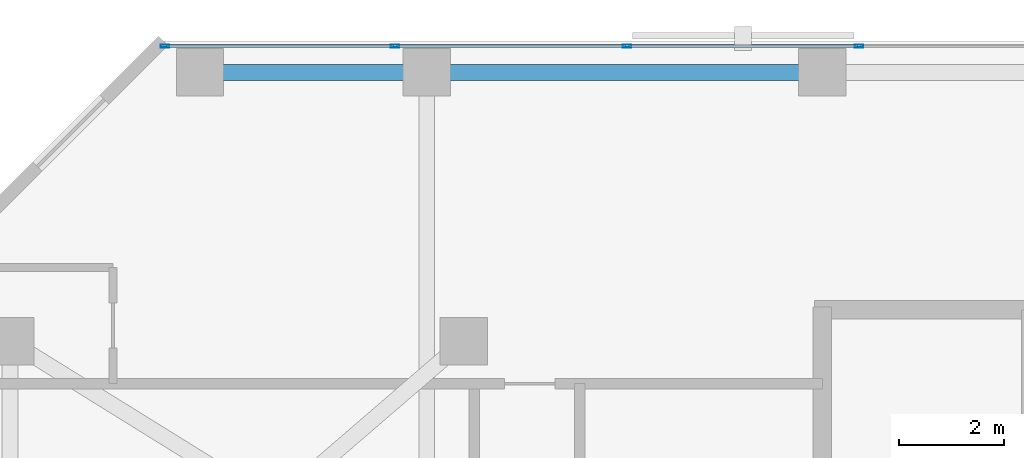
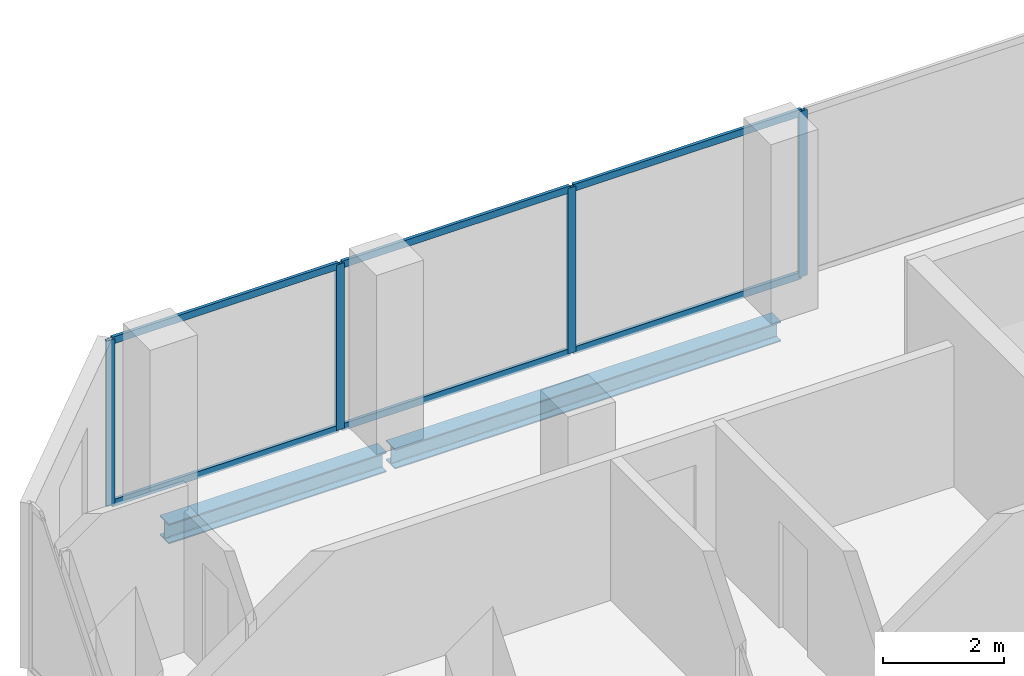
# One storey, part 19 of 34: 10 members, 2 beams, 1 element without a shape of its own.
"""IFC4 building model written with IfcOpenShell, lengths in metres."""

from ifc_helpers import new_model, si_unit, direction, frame, origin, origin_2d, place, context, subcontext, project, spatial, hollow_rectangle, i_section, extrude, material, layer, layer_set, material_profile, profile_set, type_object, element, aggregate, save


model = new_model("IFC4")

# Units and contexts
model_context = context("Model", 3, precision=1e-05, world=origin(), true_north=direction((0.0, 1.0)))
body_context = subcontext(model_context, "Body", "Model", "MODEL_VIEW")
ifc_project = project(units=[si_unit("LENGTHUNIT", "METRE"), si_unit("AREAUNIT", "SQUARE_METRE"), si_unit("VOLUMEUNIT", "CUBIC_METRE"), si_unit("PLANEANGLEUNIT", "RADIAN"), si_unit("MASSUNIT", "GRAM", prefix="KILO")], contexts=[model_context])

# Site, building, storey
site_placement = place(None, origin())
site = spatial("IfcSite", under=ifc_project, at=site_placement, CompositionType="ELEMENT")
building_placement = place(site_placement, origin())
building = spatial("IfcBuilding", under=site, at=building_placement, Name="Catumbela Crestline Tower", CompositionType="ELEMENT")
storey_placement = place(building_placement, frame((0.0, 0.0, 97.2)))
storey = spatial("IfcBuildingStorey", under=building, at=storey_placement, Name="L24", CompositionType="ELEMENT", Elevation=97.2)

# Curtain wall, members
ifc_material_1 = material(Name="Aluminium alloy AW-6060-T66", Category="aluminium")
ifc_layer = layer(ifc_material_1, 0.18, Name="Aluminium alloy AW-6060-T66")
ifc_layer_set = layer_set([ifc_layer], Name="Aluminium alloy AW-6060-T66")
curtain_wall_type = type_object("IfcCurtainWallType", Name="CWU-Z2", PredefinedType="USERDEFINED", material=ifc_layer_set)
curtain_wall_placement = place(storey_placement, origin())
curtain_wall = element("IfcCurtainWall", 1, at=curtain_wall_placement, inside=storey, type_object=curtain_wall_type, Name="L24 Unitised Curtain Wall CW-L24-E7S1", ObjectType="UNITISED", PredefinedType="USERDEFINED")
ifc_material_profile_1 = material_profile(ifc_material_1, hollow_rectangle(XDim=0.06, YDim=0.16, WallThickness=0.004, at=origin_2d()), Name="ALU 160x60x4")
ifc_profile_set_1 = profile_set([ifc_material_profile_1], Name="Aluminium alloy AW-6060-T66")
member_type_1 = type_object("IfcMemberType", Name="MUL-160X60", PredefinedType="MULLION", material=ifc_profile_set_1)
member_1_placement = place(storey_placement, frame((16.7, 47.9, 0.0), z_axis=(0.0, 0.0, 1.0), x_axis=(0.0, -1.0, 0.0)))
member_1 = element("IfcMember", 2, at=member_1_placement, type_object=member_type_1, Name="CWU-Z2 mullion 8", PredefinedType="MULLION", context=body_context, shape_type="SweptSolid", body=[
    extrude(hollow_rectangle(XDim=0.06, YDim=0.16, WallThickness=0.004, at=origin_2d()), origin(), (0.0, 0.0, 1.0), 3.33),
])
member_2_placement = place(storey_placement, frame((12.3, 47.9, 0.0), z_axis=(0.0, 0.0, 1.0), x_axis=(0.0, -1.0, 0.0)))
member_2 = element("IfcMember", 3, at=member_2_placement, type_object=member_type_1, Name="CWU-Z2 mullion 9", PredefinedType="MULLION", context=body_context, shape_type="SweptSolid", body=[
    extrude(hollow_rectangle(XDim=0.06, YDim=0.16, WallThickness=0.004, at=origin_2d()), origin(), (0.0, 0.0, 1.0), 3.33),
])
member_3_placement = place(storey_placement, frame((7.9, 47.9, 0.0), z_axis=(0.0, 0.0, 1.0), x_axis=(0.0, -1.0, 0.0)))
member_3 = element("IfcMember", 4, at=member_3_placement, type_object=member_type_1, Name="CWU-Z2 mullion 10", PredefinedType="MULLION", context=body_context, shape_type="SweptSolid", body=[
    extrude(hollow_rectangle(XDim=0.06, YDim=0.16, WallThickness=0.004, at=origin_2d()), origin(), (0.0, 0.0, 1.0), 3.33),
])
member_4_placement = place(storey_placement, frame((3.5325, 47.9, 0.0), z_axis=(0.0, 0.0, 1.0), x_axis=(0.0, -1.0, 0.0)))
member_4 = element("IfcMember", 5, at=member_4_placement, type_object=member_type_1, Name="CWU-Z2 mullion 11", PredefinedType="MULLION", context=body_context, shape_type="SweptSolid", body=[
    extrude(hollow_rectangle(XDim=0.06, YDim=0.16, WallThickness=0.004, at=origin_2d()), origin(), (0.0, 0.0, 1.0), 3.33),
])

# Beams
ifc_material_2 = material(Name="Structural steel S355J2", Category="steel")
ifc_material_profile_2 = material_profile(ifc_material_2, i_section(OverallWidth=0.3, OverallDepth=0.4, WebThickness=0.0135, FlangeThickness=0.024, FilletRadius=0.027, at=origin_2d()), Name="HEB 400")
ifc_profile_set_2 = profile_set([ifc_material_profile_2], Name="Structural steel S355J2")
beam_type = type_object("IfcBeamType", Name="BS-HEB400", PredefinedType="SPANDREL", material=ifc_profile_set_2)
beam_1_placement = place(storey_placement, frame((4.28, 47.4, -0.46), z_axis=(1.0, 0.0, 0.0), x_axis=(0.0, 1.0, 0.0)))
element("IfcBeam", 6, at=beam_1_placement, inside=storey, type_object=beam_type, Name="L24 Spandrel SP-L24-NF17", PredefinedType="SPANDREL", context=body_context, shape_type="SweptSolid", body=[
    extrude(i_section(OverallWidth=0.3, OverallDepth=0.4, WebThickness=0.0135, FlangeThickness=0.024, FilletRadius=0.027, at=origin_2d()), origin(), (0.0, 0.0, 1.0), 4.14),
])
beam_2_placement = place(storey_placement, frame((8.58, 47.4, -0.46), z_axis=(1.0, 0.0, 0.0), x_axis=(0.0, 1.0, 0.0)))
element("IfcBeam", 7, at=beam_2_placement, inside=storey, type_object=beam_type, Name="L24 Spandrel SP-L24-NF18", PredefinedType="SPANDREL", context=body_context, shape_type="SweptSolid", body=[
    extrude(i_section(OverallWidth=0.3, OverallDepth=0.4, WebThickness=0.0135, FlangeThickness=0.024, FilletRadius=0.027, at=origin_2d()), origin(), (0.0, 0.0, 1.0), 7.34),
])

# Member
ifc_material_profile_3 = material_profile(ifc_material_1, hollow_rectangle(XDim=0.06, YDim=0.14, WallThickness=0.004, at=origin_2d()), Name="ALU 140x60x4")
ifc_profile_set_3 = profile_set([ifc_material_profile_3], Name="Aluminium alloy AW-6060-T66")
member_type_2 = type_object("IfcMemberType", Name="TRN-140X60", PredefinedType="USERDEFINED", material=ifc_profile_set_3)
member_5_placement = place(storey_placement, frame((16.6675, 47.9, 0.03), z_axis=(-1.0, 0.0, 0.0), x_axis=(0.0, -1.0, 0.0)))
member_5 = element("IfcMember", 8, at=member_5_placement, type_object=member_type_2, Name="CWU-Z2 transom 8.1", ObjectType="TRANSOM", PredefinedType="USERDEFINED", context=body_context, shape_type="SweptSolid", body=[
    extrude(hollow_rectangle(XDim=0.06, YDim=0.14, WallThickness=0.004, at=origin_2d()), origin(), (0.0, 0.0, 1.0), 4.335),
])

member_6_placement = place(storey_placement, frame((16.6675, 47.9, 3.3), z_axis=(-1.0, 0.0, 0.0), x_axis=(0.0, -1.0, 0.0)))
member_6 = element("IfcMember", 9, at=member_6_placement, type_object=member_type_2, Name="CWU-Z2 transom 8.2", ObjectType="TRANSOM", PredefinedType="USERDEFINED", context=body_context, shape_type="SweptSolid", body=[
    extrude(hollow_rectangle(XDim=0.06, YDim=0.14, WallThickness=0.004, at=origin_2d()), origin(), (0.0, 0.0, 1.0), 4.335),
])

member_7_placement = place(storey_placement, frame((12.2675, 47.9, 0.03), z_axis=(-1.0, 0.0, 0.0), x_axis=(0.0, -1.0, 0.0)))
member_7 = element("IfcMember", 10, at=member_7_placement, type_object=member_type_2, Name="CWU-Z2 transom 9.1", ObjectType="TRANSOM", PredefinedType="USERDEFINED", context=body_context, shape_type="SweptSolid", body=[
    extrude(hollow_rectangle(XDim=0.06, YDim=0.14, WallThickness=0.004, at=origin_2d()), origin(), (0.0, 0.0, 1.0), 4.335),
])

member_8_placement = place(storey_placement, frame((12.2675, 47.9, 3.3), z_axis=(-1.0, 0.0, 0.0), x_axis=(0.0, -1.0, 0.0)))
member_8 = element("IfcMember", 11, at=member_8_placement, type_object=member_type_2, Name="CWU-Z2 transom 9.2", ObjectType="TRANSOM", PredefinedType="USERDEFINED", context=body_context, shape_type="SweptSolid", body=[
    extrude(hollow_rectangle(XDim=0.06, YDim=0.14, WallThickness=0.004, at=origin_2d()), origin(), (0.0, 0.0, 1.0), 4.335),
])

member_9_placement = place(storey_placement, frame((7.8675, 47.9, 0.03), z_axis=(-1.0, 0.0, 0.0), x_axis=(0.0, -1.0, 0.0)))
member_9 = element("IfcMember", 12, at=member_9_placement, type_object=member_type_2, Name="CWU-Z2 transom 10.1", ObjectType="TRANSOM", PredefinedType="USERDEFINED", context=body_context, shape_type="SweptSolid", body=[
    extrude(hollow_rectangle(XDim=0.06, YDim=0.14, WallThickness=0.004, at=origin_2d()), origin(), (0.0, 0.0, 1.0), 4.3025),
])

member_10_placement = place(storey_placement, frame((7.8675, 47.9, 3.3), z_axis=(-1.0, 0.0, 0.0), x_axis=(0.0, -1.0, 0.0)))
member_10 = element("IfcMember", 13, at=member_10_placement, type_object=member_type_2, Name="CWU-Z2 transom 10.2", ObjectType="TRANSOM", PredefinedType="USERDEFINED", context=body_context, shape_type="SweptSolid", body=[
    extrude(hollow_rectangle(XDim=0.06, YDim=0.14, WallThickness=0.004, at=origin_2d()), origin(), (0.0, 0.0, 1.0), 4.3025),
])

aggregate(curtain_wall, [member_1, member_2, member_3, member_4, member_5, member_6, member_7, member_8, member_9, member_10])

save(model, "model.ifc")
